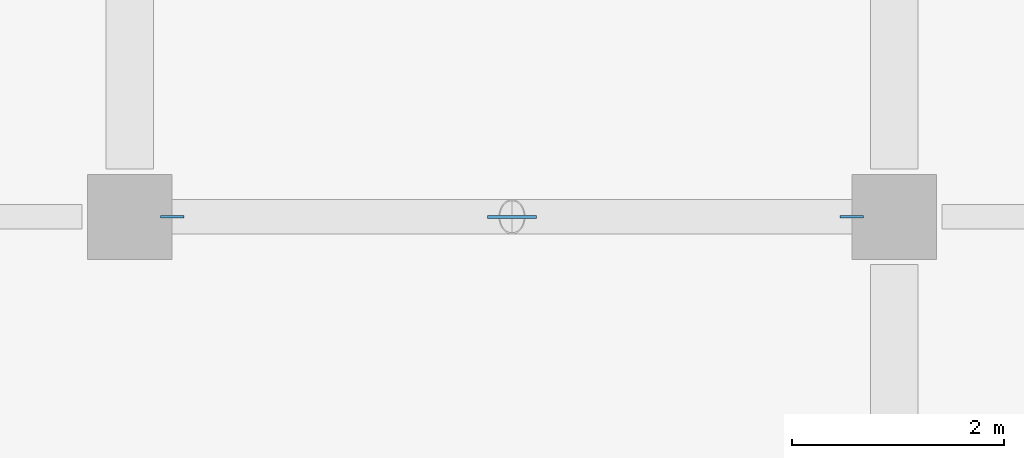
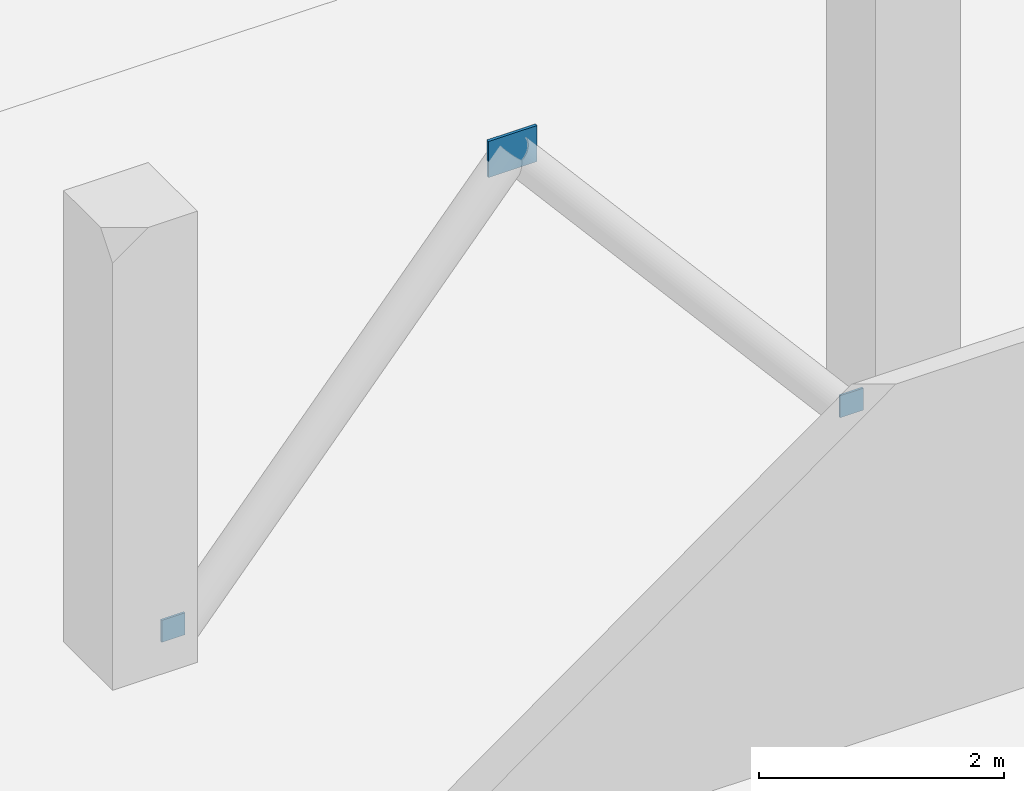
# One storey, part 81 of 123: 3 plates.
"""IFC4 building model written with IfcOpenShell, lengths in metres."""

import ifcopenshell
import ifcopenshell.guid

model = None  # the IFC model being written
_history = None  # IfcOwnerHistory: only IFC2X3 demands one
_inside = {}  # id of a spatial element -> (the spatial element, [elements in it])
_under = {}  # id of a project, library or spatial element -> (it, [spatial elements below it])
_declared = {}  # id of a project -> (the project, [libraries it declares])
_typed = {}  # id of a type object -> (the type object, [elements of that type])
_made_of = {}  # id of a material, layer set ... -> (it, [elements and type objects made of it])


def new_model(schema):
    """Start an empty IFC model of exactly this schema.

    Asked for "IFC4X3", IfcOpenShell would pick the latest addendum, in which some entities
    have other attributes; the version numbers below select the first issue.
    IFC2X3 requires an IfcOwnerHistory on every rooted entity: one is made here for all.
    """
    global model, _history
    if schema == "IFC4X3":
        model = ifcopenshell.file(schema_version=(4, 3, 0, 0))
    else:
        model = ifcopenshell.file(schema=schema)
    _inside.clear()
    _under.clear()
    _declared.clear()
    _typed.clear()
    _made_of.clear()
    _history = None
    if model.schema == "IFC2X3":
        org = make("IfcOrganization", Name="unknown")
        user = make(
            "IfcPersonAndOrganization",
            ThePerson=make("IfcPerson", FamilyName="unknown"),
            TheOrganization=org,
        )
        app = make(
            "IfcApplication",
            ApplicationDeveloper=org,
            Version="unknown",
            ApplicationFullName="unknown",
            ApplicationIdentifier="unknown",
        )
        _history = make(
            "IfcOwnerHistory",
            OwningUser=user,
            OwningApplication=app,
            ChangeAction="ADDED",
            CreationDate=0,
        )
    return model


def make(cls, **values):
    """One entity of the class cls with the attributes given. An attribute that is None is left unset."""
    return model.create_entity(
        cls, **{name: value for name, value in values.items() if value is not None}
    )


def rooted(cls, **values):
    """An entity with a GlobalId (a new one), such as an element, a storey or a relation."""
    return make(cls, GlobalId=ifcopenshell.guid.new(), OwnerHistory=_history, **values)


def si_unit(unit_type, name, prefix=None):
    """IfcSIUnit, for example si_unit("LENGTHUNIT", "METRE", prefix="MILLI")."""
    return make("IfcSIUnit", UnitType=unit_type, Prefix=prefix, Name=name)


def assignment(units):
    """IfcUnitAssignment: the units of a project."""
    return None if units is None else make("IfcUnitAssignment", Units=units)


def point(xyz):
    """IfcCartesianPoint."""
    return None if xyz is None else make("IfcCartesianPoint", Coordinates=xyz)


def direction(xyz):
    """IfcDirection."""
    return None if xyz is None else make("IfcDirection", DirectionRatios=xyz)


def frame(location, z_axis=None, x_axis=None):
    """IfcAxis2Placement3D, a coordinate frame: its origin and axes. An axis left out is left unset."""
    return make(
        "IfcAxis2Placement3D",
        Location=point(location),
        Axis=direction(z_axis),
        RefDirection=direction(x_axis),
    )


def frame_2d(location, x_axis=None):
    """IfcAxis2Placement2D, a coordinate frame in the plane: its origin and x axis."""
    return make(
        "IfcAxis2Placement2D", Location=point(location), RefDirection=direction(x_axis)
    )


def origin():
    """The frame at (0, 0, 0) with its axes left unset."""
    return frame((0.0, 0.0, 0.0))


def origin_2d():
    """The frame at (0, 0) in the plane with its x axis left unset."""
    return frame_2d((0.0, 0.0))


def place(relative_to, where):
    """IfcLocalPlacement: puts the frame where relative to a parent placement (None: the world)."""
    return make(
        "IfcLocalPlacement", PlacementRelTo=relative_to, RelativePlacement=where
    )


def context(
    kind, dimensions, precision=None, world=None, true_north=None, identifier=None
):
    """IfcGeometricRepresentationContext, for example the 3D "Model" context."""
    return make(
        "IfcGeometricRepresentationContext",
        ContextIdentifier=identifier,
        ContextType=kind,
        CoordinateSpaceDimension=dimensions,
        Precision=precision,
        WorldCoordinateSystem=world,
        TrueNorth=true_north,
    )


def subcontext(parent, identifier, kind, view, scale=None):
    """IfcGeometricRepresentationSubContext, for example "Body" below "Model"."""
    return make(
        "IfcGeometricRepresentationSubContext",
        ContextIdentifier=identifier,
        ContextType=kind,
        ParentContext=parent,
        TargetScale=scale,
        TargetView=view,
    )


def project(units=None, contexts=None):
    """IfcProject with its units and contexts."""
    return rooted(
        "IfcProject",
        Name="project",
        RepresentationContexts=contexts,
        UnitsInContext=assignment(units),
    )


def spatial(cls, under=None, at=None, **own):
    """A site, building, storey or space (cls), placed at a placement, below another one or the project."""
    s = rooted(cls, ObjectPlacement=at, **own)
    if under is not None:
        _under.setdefault(under.id(), (under, []))[1].append(s)
    return s


def profile(cls, at=None, kind="AREA", **sizes):
    """A parametric profile (cls). Its sizes go by their IFC names, for example OverallWidth=200.0."""
    return make(cls, ProfileType=kind, Position=at, **sizes)


def rectangle(**sizes):
    """IfcRectangleProfileDef."""
    return profile("IfcRectangleProfileDef", **sizes)


def extrude(swept, where, along, depth):
    """IfcExtrudedAreaSolid: the profile swept, set in the frame where, extruded along a direction by depth."""
    return make(
        "IfcExtrudedAreaSolid",
        SweptArea=swept,
        Position=where,
        ExtrudedDirection=direction(along),
        Depth=depth,
    )


def shape(context_of_items, identifier, shape_type, items):
    """IfcShapeRepresentation: the items that make up one representation, for example the "Body"."""
    return make(
        "IfcShapeRepresentation",
        ContextOfItems=context_of_items,
        RepresentationIdentifier=identifier,
        RepresentationType=shape_type,
        Items=items,
    )


def material(Name=None, Category=None):
    """IfcMaterial."""
    return make("IfcMaterial", Name=Name, Category=Category)


def layer(
    of_material, thickness, ventilated=None, Name=None, Category=None, Priority=None
):
    """IfcMaterialLayer: one layer of a wall or slab, of a material (None: an air gap)."""
    return make(
        "IfcMaterialLayer",
        Material=of_material,
        LayerThickness=thickness,
        IsVentilated=ventilated,
        Name=Name,
        Category=Category,
        Priority=Priority,
    )


def layer_set(layers, Name=None):
    """IfcMaterialLayerSet."""
    return make("IfcMaterialLayerSet", MaterialLayers=layers, LayerSetName=Name)


def made_of(thing, what):
    """Note that an element or type object is made of a material, layer set ...; save() writes the relation."""
    if what is not None:
        _made_of.setdefault(what.id(), (what, []))[1].append(thing)
    return thing


def type_object(cls, material=None, **own):
    """A type object (cls), such as IfcWallType, which elements share."""
    return made_of(rooted(cls, **own), material)


def element(
    cls,
    number,
    at=None,
    inside=None,
    cuts=None,
    type_object=None,
    material=None,
    context=None,
    identifier="Body",
    shape_type=None,
    held_by="IfcProductDefinitionShape",
    body=None,
    shapes=None,
    **own,
):
    """One element of the class cls, such as IfcWall. Its Tag is "e" and its number.

    at: its placement. inside: the storey or other place that contains it. cuts: it is an
    opening in that element (IfcRelVoidsElement). A single representation is given by context,
    identifier, shape_type and body (its items); several are given by shapes. held_by: the class
    of the entity that holds the representations. save() writes the other relations.
    """
    e = rooted(cls, Tag="e%d" % number, ObjectPlacement=at, **own)
    if body is not None:
        shapes = [shape(context, identifier, shape_type, body)]
    if shapes is not None:
        e.Representation = make(held_by, Representations=shapes)
    if inside is not None:
        _inside.setdefault(inside.id(), (inside, []))[1].append(e)
    if cuts is not None:
        rooted(
            "IfcRelVoidsElement", RelatingBuildingElement=cuts, RelatedOpeningElement=e
        )
    if type_object is not None:
        _typed.setdefault(type_object.id(), (type_object, []))[1].append(e)
    return made_of(e, material)


def aggregate(whole, parts):
    """IfcRelAggregates: a whole, such as a stair, and the parts it consists of."""
    return rooted("IfcRelAggregates", RelatingObject=whole, RelatedObjects=parts)


def save(model, path):
    """Write the relations noted so far, then the file.

    IfcRelAggregates (storeys below a building ...), IfcRelContainedInSpatialStructure (elements
    in a storey), IfcRelDefinesByType, IfcRelAssociatesMaterial and IfcRelDeclares: one each for
    every whole, place, type object, material and project.
    """
    for whole, parts in _under.values():
        aggregate(whole, parts)
    for where, things in _inside.values():
        rooted(
            "IfcRelContainedInSpatialStructure",
            RelatedElements=things,
            RelatingStructure=where,
        )
    for kind, things in _typed.values():
        rooted("IfcRelDefinesByType", RelatedObjects=things, RelatingType=kind)
    for what, things in _made_of.values():
        rooted("IfcRelAssociatesMaterial", RelatedObjects=things, RelatingMaterial=what)
    for by, libraries in _declared.values():
        rooted("IfcRelDeclares", RelatingContext=by, RelatedDefinitions=libraries)
    model.write(path)


model = new_model("IFC4")

# Units and contexts
model_context = context("Model", 3, precision=1e-05, world=origin(), true_north=direction((0.0, 1.0)))
body_context = subcontext(model_context, "Body", "Model", "MODEL_VIEW")
ifc_project = project(units=[si_unit("LENGTHUNIT", "METRE"), si_unit("AREAUNIT", "SQUARE_METRE"), si_unit("VOLUMEUNIT", "CUBIC_METRE"), si_unit("PLANEANGLEUNIT", "RADIAN"), si_unit("MASSUNIT", "GRAM", prefix="KILO")], contexts=[model_context])

# Site, building, storey
site_placement = place(None, origin())
site = spatial("IfcSite", under=ifc_project, at=site_placement, CompositionType="ELEMENT")
building_placement = place(site_placement, origin())
building = spatial("IfcBuilding", under=site, at=building_placement, Name="Kalmorath City Hall", CompositionType="ELEMENT")
storey_placement = place(building_placement, frame((0.0, 0.0, 10.199951171875)))
storey = spatial("IfcBuildingStorey", under=building, at=storey_placement, Name="L02", CompositionType="ELEMENT", Elevation=10.199951171875)

# Plates
ifc_material_1 = material(Name="Steel ASTM A572 Grade 50", Category="steel")
ifc_layer_1 = layer(ifc_material_1, 0.02001953125)
ifc_layer_set_1 = layer_set([ifc_layer_1], Name="Steel ASTM A572 Grade 50")
plate_type_1 = type_object("IfcPlateType", Name="Steel HSS end-cap plate 220x220x20", PredefinedType="SHEET", material=ifc_layer_set_1)
for number, where, z_axis, x_axis, name in (
    (1, (14.800048828125, 28.800048828125, 0.0), (0.0, 0.0, 1.0), (1.0, 0.0, 0.0), "L02 brace foot end-plate GP5-4L"),
    (2, (21.199951171875, 28.800048828125, 0.0), (0.0, 0.0, 1.0), (1.0, 0.0, 0.0), "L02 brace foot end-plate GP5-4R"),
):
    element("IfcPlate", number, at=place(storey_placement, frame(where, z_axis=z_axis, x_axis=x_axis)), inside=storey, type_object=plate_type_1, Name=name, PredefinedType="SHEET", context=body_context, shape_type="SweptSolid", body=[
        extrude(rectangle(XDim=0.219970703125, YDim=0.02001953125, at=origin_2d()), origin(), (0.0, 0.0, 1.0), 0.219970703125),
    ])
ifc_material_2 = material(Name="Steel ASTM A572 Grade 50", Category="steel")
ifc_layer_2 = layer(ifc_material_2, 0.028076171875)
ifc_layer_set_2 = layer_set([ifc_layer_2], Name="Steel ASTM A572 Grade 50")
plate_type_2 = type_object("IfcPlateType", Name="Steel truss node gusset plate 460x360x28", PredefinedType="USERDEFINED", material=ifc_layer_set_2)
plate_placement = place(storey_placement, frame((18.0, 28.800048828125, 3.56005859375), z_axis=(0.0, 0.0, 1.0), x_axis=(1.0, 0.0, 0.0)))
element("IfcPlate", 3, at=plate_placement, inside=storey, type_object=plate_type_2, Name="L02 brace gusset plate GP3-4", ObjectType="GUSSET PLATE", PredefinedType="USERDEFINED", context=body_context, shape_type="SweptSolid", body=[
    extrude(rectangle(XDim=0.4599609375, YDim=0.028076171875, at=origin_2d()), origin(), (0.0, 0.0, 1.0), 0.360107421875),
])

save(model, "model.ifc")
